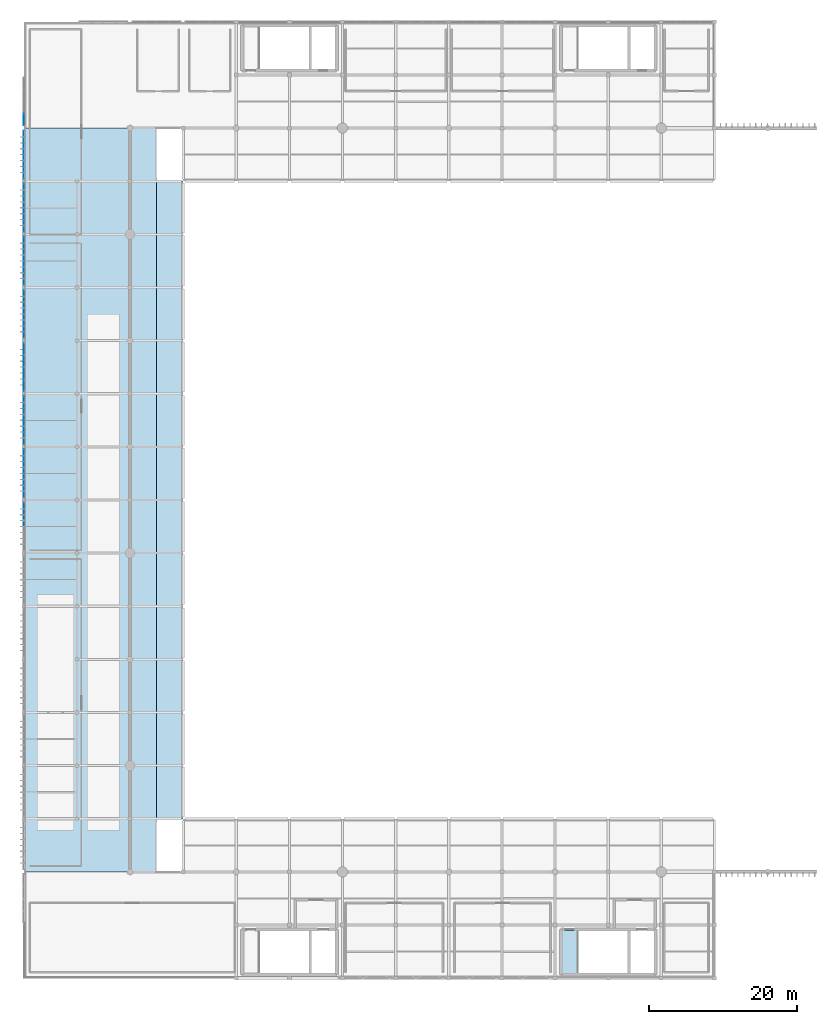
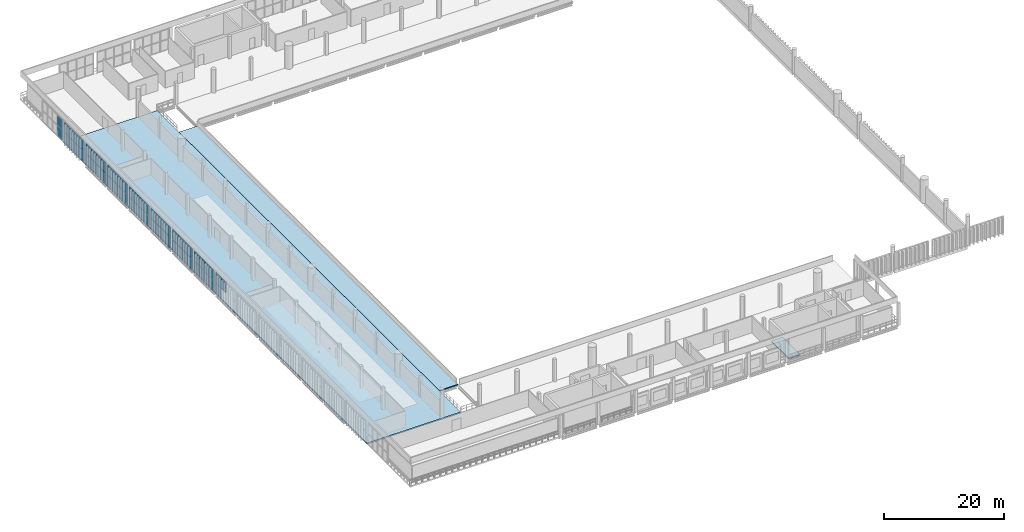
# One storey, part 40 of 64: 61 plates, 3 slabs, 9 elements without a shape of their own.
"""IFC4 building model written with IfcOpenShell, lengths in metres."""

from ifc_helpers import new_model, si_unit, direction, frame, origin, origin_2d, place, context, subcontext, project, spatial, polyline, rectangle, outline, extrude, material, layer, layer_set, type_object, element, aggregate, save


model = new_model("IFC4")

# Units and contexts
model_context = context("Model", 3, precision=1e-05, world=origin(), true_north=direction((0.0, 1.0)))
body_context = subcontext(model_context, "Body", "Model", "MODEL_VIEW")
ifc_project = project(units=[si_unit("LENGTHUNIT", "METRE"), si_unit("AREAUNIT", "SQUARE_METRE"), si_unit("VOLUMEUNIT", "CUBIC_METRE"), si_unit("PLANEANGLEUNIT", "RADIAN"), si_unit("MASSUNIT", "GRAM", prefix="KILO")], contexts=[model_context])

# Site, building, storey
site_placement = place(None, origin())
site = spatial("IfcSite", under=ifc_project, at=site_placement, CompositionType="ELEMENT")
building_placement = place(site_placement, origin())
building = spatial("IfcBuilding", under=site, at=building_placement, Name="Qandorah Velis Arena", CompositionType="ELEMENT")
storey_placement = place(building_placement, frame((0.0, 0.0, 23.0)))
storey = spatial("IfcBuildingStorey", under=building, at=storey_placement, Name="L05", CompositionType="ELEMENT", Elevation=23.0)

# Curtain wall, plates
ifc_material_1 = material(Name="Solar-control low-E double glazing", Category="glass")
curtain_wall_type_1 = type_object("IfcCurtainWallType", Name="ARC-CW-SYS01", PredefinedType="USERDEFINED", material=ifc_material_1)
curtain_wall_1_placement = place(storey_placement, origin())
curtain_wall_1 = element("IfcCurtainWall", 1, at=curtain_wall_1_placement, inside=storey, type_object=curtain_wall_type_1, Name="Unitised curtain wall L05-049", ObjectType="UNITISED CURTAIN WALL", PredefinedType="USERDEFINED")
ifc_layer_1 = layer(ifc_material_1, 0.02392578125)
ifc_layer_set_1 = layer_set([ifc_layer_1], Name="Solar-control low-E double glazing")
plate_type_1 = type_object("IfcPlateType", Name="ARC-CWP-GLZ24", PredefinedType="CURTAIN_PANEL", material=ifc_layer_set_1)
plate_1_placement = place(storey_placement, frame((0.0, 80.34375, 0.06494140625), z_axis=(0.0, 0.0, 1.0), x_axis=(0.0, 1.0, 0.0)))
plate_1 = element("IfcPlate", 2, at=plate_1_placement, type_object=plate_type_1, Name="CW01 panel 1.1", PredefinedType="CURTAIN_PANEL", context=body_context, shape_type="SweptSolid", body=[
    extrude(rectangle(XDim=1.5576171875, YDim=0.02392578125, at=origin_2d()), origin(), (0.0, 0.0, 1.0), 2.047607421875),
])
plate_2_placement = place(storey_placement, frame((0.0, 80.34375, 2.16748046875), z_axis=(0.0, 0.0, 1.0), x_axis=(0.0, 1.0, 0.0)))
plate_2 = element("IfcPlate", 3, at=plate_2_placement, type_object=plate_type_1, Name="CW01 panel 1.2", PredefinedType="CURTAIN_PANEL", context=body_context, shape_type="SweptSolid", body=[
    extrude(rectangle(XDim=1.5576171875, YDim=0.02392578125, at=origin_2d()), origin(), (0.0, 0.0, 1.0), 2.047607421875),
])
plate_3_placement = place(storey_placement, frame((0.0, 81.97509765625, 0.06494140625), z_axis=(0.0, 0.0, 1.0), x_axis=(0.0, 1.0, 0.0)))
plate_3 = element("IfcPlate", 4, at=plate_3_placement, type_object=plate_type_1, Name="CW01 panel 2.1", PredefinedType="CURTAIN_PANEL", context=body_context, shape_type="SweptSolid", body=[
    extrude(rectangle(XDim=1.594970703125, YDim=0.02392578125, at=origin_2d()), origin(), (0.0, 0.0, 1.0), 2.047607421875),
])
plate_4_placement = place(storey_placement, frame((0.0, 81.97509765625, 2.16748046875), z_axis=(0.0, 0.0, 1.0), x_axis=(0.0, 1.0, 0.0)))
plate_4 = element("IfcPlate", 5, at=plate_4_placement, type_object=plate_type_1, Name="CW01 panel 2.2", PredefinedType="CURTAIN_PANEL", context=body_context, shape_type="SweptSolid", body=[
    extrude(rectangle(XDim=1.594970703125, YDim=0.02392578125, at=origin_2d()), origin(), (0.0, 0.0, 1.0), 2.047607421875),
])
plate_5_placement = place(storey_placement, frame((0.0, 83.625, 0.06494140625), z_axis=(0.0, 0.0, 1.0), x_axis=(0.0, 1.0, 0.0)))
plate_5 = element("IfcPlate", 6, at=plate_5_placement, type_object=plate_type_1, Name="CW01 panel 3.1", PredefinedType="CURTAIN_PANEL", context=body_context, shape_type="SweptSolid", body=[
    extrude(rectangle(XDim=1.594970703125, YDim=0.02392578125, at=origin_2d()), origin(), (0.0, 0.0, 1.0), 2.047607421875),
])
plate_6_placement = place(storey_placement, frame((0.0, 83.625, 2.16748046875), z_axis=(0.0, 0.0, 1.0), x_axis=(0.0, 1.0, 0.0)))
plate_6 = element("IfcPlate", 7, at=plate_6_placement, type_object=plate_type_1, Name="CW01 panel 3.2", PredefinedType="CURTAIN_PANEL", context=body_context, shape_type="SweptSolid", body=[
    extrude(rectangle(XDim=1.594970703125, YDim=0.02392578125, at=origin_2d()), origin(), (0.0, 0.0, 1.0), 2.047607421875),
])
plate_7_placement = place(storey_placement, frame((0.0, 85.25634765625, 0.06494140625), z_axis=(0.0, 0.0, 1.0), x_axis=(0.0, 1.0, 0.0)))
plate_7 = element("IfcPlate", 8, at=plate_7_placement, type_object=plate_type_1, Name="CW01 panel 4.1", PredefinedType="CURTAIN_PANEL", context=body_context, shape_type="SweptSolid", body=[
    extrude(rectangle(XDim=1.5576171875, YDim=0.02392578125, at=origin_2d()), origin(), (0.0, 0.0, 1.0), 2.047607421875),
])
plate_8_placement = place(storey_placement, frame((0.0, 85.25634765625, 2.16748046875), z_axis=(0.0, 0.0, 1.0), x_axis=(0.0, 1.0, 0.0)))
plate_8 = element("IfcPlate", 9, at=plate_8_placement, type_object=plate_type_1, Name="CW01 panel 4.2", PredefinedType="CURTAIN_PANEL", context=body_context, shape_type="SweptSolid", body=[
    extrude(rectangle(XDim=1.5576171875, YDim=0.02392578125, at=origin_2d()), origin(), (0.0, 0.0, 1.0), 2.047607421875),
])
aggregate(curtain_wall_1, [plate_1, plate_2, plate_3, plate_4, plate_5, plate_6, plate_7, plate_8])

curtain_wall_type_2 = type_object("IfcCurtainWallType", Name="ARC-CW-SYS06", PredefinedType="USERDEFINED", material=ifc_material_1)
curtain_wall_2_placement = place(storey_placement, origin())
curtain_wall_2 = element("IfcCurtainWall", 10, at=curtain_wall_2_placement, inside=storey, type_object=curtain_wall_type_2, Name="Unitised curtain wall L05-054", ObjectType="UNITISED CURTAIN WALL", PredefinedType="USERDEFINED")
plate_9_placement = place(storey_placement, frame((0.0, 116.34130859375, 0.054931640625), z_axis=(0.0, 0.0, 1.0), x_axis=(0.0, 1.0, 0.0)))
plate_9 = element("IfcPlate", 11, at=plate_9_placement, type_object=plate_type_1, Name="CW06 panel 1.1", PredefinedType="CURTAIN_PANEL", context=body_context, shape_type="SweptSolid", body=[
    extrude(rectangle(XDim=1.572509765625, YDim=0.02392578125, at=origin_2d()), origin(), (0.0, 0.0, 1.0), 2.0625),
])
plate_10_placement = place(storey_placement, frame((0.0, 116.34130859375, 2.16259765625), z_axis=(0.0, 0.0, 1.0), x_axis=(0.0, 1.0, 0.0)))
plate_10 = element("IfcPlate", 12, at=plate_10_placement, type_object=plate_type_1, Name="CW06 panel 1.2", PredefinedType="CURTAIN_PANEL", context=body_context, shape_type="SweptSolid", body=[
    extrude(rectangle(XDim=1.572509765625, YDim=0.02392578125, at=origin_2d()), origin(), (0.0, 0.0, 1.0), 2.0625),
])
aggregate(curtain_wall_2, [plate_9, plate_10])

curtain_wall_type_3 = type_object("IfcCurtainWallType", Name="ARC-CW-SYS24", PredefinedType="USERDEFINED", material=ifc_material_1)
curtain_wall_3_placement = place(storey_placement, origin())
curtain_wall_3 = element("IfcCurtainWall", 13, at=curtain_wall_3_placement, inside=storey, type_object=curtain_wall_type_3, Name="Unitised curtain wall L05-048", ObjectType="UNITISED CURTAIN WALL", PredefinedType="USERDEFINED")
ifc_layer_2 = layer(ifc_material_1, 0.028076171875)
ifc_layer_set_2 = layer_set([ifc_layer_2], Name="Solar-control low-E double glazing")
plate_type_2 = type_object("IfcPlateType", Name="ARC-CWP-GLZ28", PredefinedType="CURTAIN_PANEL", material=ifc_layer_set_2)
plate_11_placement = place(storey_placement, frame((0.0, 73.138671875, 0.044921875), z_axis=(0.0, 0.0, 1.0), x_axis=(0.0, 1.0, 0.0)))
plate_11 = element("IfcPlate", 14, at=plate_11_placement, type_object=plate_type_2, Name="CW24 panel 1.1", PredefinedType="CURTAIN_PANEL", context=body_context, shape_type="SweptSolid", body=[
    extrude(rectangle(XDim=1.58740234375, YDim=0.028076171875, at=origin_2d()), origin(), (0.0, 0.0, 1.0), 2.077392578125),
])
plate_12_placement = place(storey_placement, frame((0.0, 73.138671875, 2.15771484375), z_axis=(0.0, 0.0, 1.0), x_axis=(0.0, 1.0, 0.0)))
plate_12 = element("IfcPlate", 15, at=plate_12_placement, type_object=plate_type_2, Name="CW24 panel 1.2", PredefinedType="CURTAIN_PANEL", context=body_context, shape_type="SweptSolid", body=[
    extrude(rectangle(XDim=1.58740234375, YDim=0.028076171875, at=origin_2d()), origin(), (0.0, 0.0, 1.0), 2.077392578125),
])
plate_13_placement = place(storey_placement, frame((0.0, 74.77490234375, 0.044921875), z_axis=(0.0, 0.0, 1.0), x_axis=(0.0, 1.0, 0.0)))
plate_13 = element("IfcPlate", 16, at=plate_13_placement, type_object=plate_type_2, Name="CW24 panel 2.1", PredefinedType="CURTAIN_PANEL", context=body_context, shape_type="SweptSolid", body=[
    extrude(rectangle(XDim=1.614990234375, YDim=0.028076171875, at=origin_2d()), origin(), (0.0, 0.0, 1.0), 2.077392578125),
])
plate_14_placement = place(storey_placement, frame((0.0, 74.77490234375, 2.15771484375), z_axis=(0.0, 0.0, 1.0), x_axis=(0.0, 1.0, 0.0)))
plate_14 = element("IfcPlate", 17, at=plate_14_placement, type_object=plate_type_2, Name="CW24 panel 2.2", PredefinedType="CURTAIN_PANEL", context=body_context, shape_type="SweptSolid", body=[
    extrude(rectangle(XDim=1.614990234375, YDim=0.028076171875, at=origin_2d()), origin(), (0.0, 0.0, 1.0), 2.077392578125),
])
plate_15_placement = place(storey_placement, frame((0.0, 76.425048828125, 0.044921875), z_axis=(0.0, 0.0, 1.0), x_axis=(0.0, 1.0, 0.0)))
plate_15 = element("IfcPlate", 18, at=plate_15_placement, type_object=plate_type_2, Name="CW24 panel 3.1", PredefinedType="CURTAIN_PANEL", context=body_context, shape_type="SweptSolid", body=[
    extrude(rectangle(XDim=1.614990234375, YDim=0.028076171875, at=origin_2d()), origin(), (0.0, 0.0, 1.0), 2.077392578125),
])
plate_16_placement = place(storey_placement, frame((0.0, 76.425048828125, 2.15771484375), z_axis=(0.0, 0.0, 1.0), x_axis=(0.0, 1.0, 0.0)))
plate_16 = element("IfcPlate", 19, at=plate_16_placement, type_object=plate_type_2, Name="CW24 panel 3.2", PredefinedType="CURTAIN_PANEL", context=body_context, shape_type="SweptSolid", body=[
    extrude(rectangle(XDim=1.614990234375, YDim=0.028076171875, at=origin_2d()), origin(), (0.0, 0.0, 1.0), 2.077392578125),
])
plate_17_placement = place(storey_placement, frame((0.0, 78.061279296875, 0.044921875), z_axis=(0.0, 0.0, 1.0), x_axis=(0.0, 1.0, 0.0)))
plate_17 = element("IfcPlate", 20, at=plate_17_placement, type_object=plate_type_2, Name="CW24 panel 4.1", PredefinedType="CURTAIN_PANEL", context=body_context, shape_type="SweptSolid", body=[
    extrude(rectangle(XDim=1.58740234375, YDim=0.028076171875, at=origin_2d()), origin(), (0.0, 0.0, 1.0), 2.077392578125),
])
plate_18_placement = place(storey_placement, frame((0.0, 78.061279296875, 2.15771484375), z_axis=(0.0, 0.0, 1.0), x_axis=(0.0, 1.0, 0.0)))
plate_18 = element("IfcPlate", 21, at=plate_18_placement, type_object=plate_type_2, Name="CW24 panel 4.2", PredefinedType="CURTAIN_PANEL", context=body_context, shape_type="SweptSolid", body=[
    extrude(rectangle(XDim=1.58740234375, YDim=0.028076171875, at=origin_2d()), origin(), (0.0, 0.0, 1.0), 2.077392578125),
])
aggregate(curtain_wall_3, [plate_11, plate_12, plate_13, plate_14, plate_15, plate_16, plate_17, plate_18])

curtain_wall_type_4 = type_object("IfcCurtainWallType", Name="ARC-CW-SYS05", PredefinedType="USERDEFINED", material=ifc_material_1)
curtain_wall_4_placement = place(storey_placement, origin())
curtain_wall_4 = element("IfcCurtainWall", 22, at=curtain_wall_4_placement, inside=storey, type_object=curtain_wall_type_4, Name="Unitised curtain wall L05-053", ObjectType="UNITISED CURTAIN WALL", PredefinedType="USERDEFINED")
plate_19_placement = place(storey_placement, frame((0.0, 109.143798828125, 0.06494140625), z_axis=(0.0, 0.0, 1.0), x_axis=(0.0, 1.0, 0.0)))
plate_19 = element("IfcPlate", 23, at=plate_19_placement, type_object=plate_type_2, Name="CW05 panel 1.1", PredefinedType="CURTAIN_PANEL", context=body_context, shape_type="SweptSolid", body=[
    extrude(rectangle(XDim=1.5576171875, YDim=0.028076171875, at=origin_2d()), origin(), (0.0, 0.0, 1.0), 2.047607421875),
])
plate_20_placement = place(storey_placement, frame((0.0, 109.143798828125, 2.16748046875), z_axis=(0.0, 0.0, 1.0), x_axis=(0.0, 1.0, 0.0)))
plate_20 = element("IfcPlate", 24, at=plate_20_placement, type_object=plate_type_2, Name="CW05 panel 1.2", PredefinedType="CURTAIN_PANEL", context=body_context, shape_type="SweptSolid", body=[
    extrude(rectangle(XDim=1.5576171875, YDim=0.028076171875, at=origin_2d()), origin(), (0.0, 0.0, 1.0), 2.047607421875),
])
plate_21_placement = place(storey_placement, frame((0.0, 110.77490234375, 0.06494140625), z_axis=(0.0, 0.0, 1.0), x_axis=(0.0, 1.0, 0.0)))
plate_21 = element("IfcPlate", 25, at=plate_21_placement, type_object=plate_type_2, Name="CW05 panel 2.1", PredefinedType="CURTAIN_PANEL", context=body_context, shape_type="SweptSolid", body=[
    extrude(rectangle(XDim=1.594970703125, YDim=0.028076171875, at=origin_2d()), origin(), (0.0, 0.0, 1.0), 2.047607421875),
])
plate_22_placement = place(storey_placement, frame((0.0, 110.77490234375, 2.16748046875), z_axis=(0.0, 0.0, 1.0), x_axis=(0.0, 1.0, 0.0)))
plate_22 = element("IfcPlate", 26, at=plate_22_placement, type_object=plate_type_2, Name="CW05 panel 2.2", PredefinedType="CURTAIN_PANEL", context=body_context, shape_type="SweptSolid", body=[
    extrude(rectangle(XDim=1.594970703125, YDim=0.028076171875, at=origin_2d()), origin(), (0.0, 0.0, 1.0), 2.047607421875),
])
plate_23_placement = place(storey_placement, frame((0.0, 112.425048828125, 0.06494140625), z_axis=(0.0, 0.0, 1.0), x_axis=(0.0, 1.0, 0.0)))
plate_23 = element("IfcPlate", 27, at=plate_23_placement, type_object=plate_type_2, Name="CW05 panel 3.1", PredefinedType="CURTAIN_PANEL", context=body_context, shape_type="SweptSolid", body=[
    extrude(rectangle(XDim=1.594970703125, YDim=0.028076171875, at=origin_2d()), origin(), (0.0, 0.0, 1.0), 2.047607421875),
])
plate_24_placement = place(storey_placement, frame((0.0, 112.425048828125, 2.16748046875), z_axis=(0.0, 0.0, 1.0), x_axis=(0.0, 1.0, 0.0)))
plate_24 = element("IfcPlate", 28, at=plate_24_placement, type_object=plate_type_2, Name="CW05 panel 3.2", PredefinedType="CURTAIN_PANEL", context=body_context, shape_type="SweptSolid", body=[
    extrude(rectangle(XDim=1.594970703125, YDim=0.028076171875, at=origin_2d()), origin(), (0.0, 0.0, 1.0), 2.047607421875),
])
plate_25_placement = place(storey_placement, frame((0.0, 114.05615234375, 0.06494140625), z_axis=(0.0, 0.0, 1.0), x_axis=(0.0, 1.0, 0.0)))
plate_25 = element("IfcPlate", 29, at=plate_25_placement, type_object=plate_type_2, Name="CW05 panel 4.1", PredefinedType="CURTAIN_PANEL", context=body_context, shape_type="SweptSolid", body=[
    extrude(rectangle(XDim=1.5576171875, YDim=0.028076171875, at=origin_2d()), origin(), (0.0, 0.0, 1.0), 2.047607421875),
])
plate_26_placement = place(storey_placement, frame((0.0, 114.05615234375, 2.16748046875), z_axis=(0.0, 0.0, 1.0), x_axis=(0.0, 1.0, 0.0)))
plate_26 = element("IfcPlate", 30, at=plate_26_placement, type_object=plate_type_2, Name="CW05 panel 4.2", PredefinedType="CURTAIN_PANEL", context=body_context, shape_type="SweptSolid", body=[
    extrude(rectangle(XDim=1.5576171875, YDim=0.028076171875, at=origin_2d()), origin(), (0.0, 0.0, 1.0), 2.047607421875),
])
aggregate(curtain_wall_4, [plate_19, plate_20, plate_21, plate_22, plate_23, plate_24, plate_25, plate_26])

curtain_wall_type_5 = type_object("IfcCurtainWallType", Name="ARC-CW-SYS23", PredefinedType="USERDEFINED", material=ifc_material_1)
curtain_wall_5_placement = place(storey_placement, origin())
curtain_wall_5 = element("IfcCurtainWall", 31, at=curtain_wall_5_placement, inside=storey, type_object=curtain_wall_type_5, Name="Unitised curtain wall L05-047", ObjectType="UNITISED CURTAIN WALL", PredefinedType="USERDEFINED")
ifc_layer_3 = layer(ifc_material_1, 0.030029296875)
ifc_layer_set_3 = layer_set([ifc_layer_3], Name="Solar-control low-E double glazing")
plate_type_3 = type_object("IfcPlateType", Name="ARC-CWP-GLZ30", PredefinedType="CURTAIN_PANEL", material=ifc_layer_set_3)
plate_27_placement = place(storey_placement, frame((0.0, 65.93994140625, 0.0498046875), z_axis=(0.0, 0.0, 1.0), x_axis=(0.0, 1.0, 0.0)))
plate_27 = element("IfcPlate", 32, at=plate_27_placement, type_object=plate_type_3, Name="CW23 panel 1.1", PredefinedType="CURTAIN_PANEL", context=body_context, shape_type="SweptSolid", body=[
    extrude(rectangle(XDim=1.580078125, YDim=0.030029296875, at=origin_2d()), origin(), (0.0, 0.0, 1.0), 2.070068359375),
])
plate_28_placement = place(storey_placement, frame((0.0, 65.93994140625, 2.16015625), z_axis=(0.0, 0.0, 1.0), x_axis=(0.0, 1.0, 0.0)))
plate_28 = element("IfcPlate", 33, at=plate_28_placement, type_object=plate_type_3, Name="CW23 panel 1.2", PredefinedType="CURTAIN_PANEL", context=body_context, shape_type="SweptSolid", body=[
    extrude(rectangle(XDim=1.580078125, YDim=0.030029296875, at=origin_2d()), origin(), (0.0, 0.0, 1.0), 2.070068359375),
])
plate_29_placement = place(storey_placement, frame((0.0, 67.574951171875, 0.0498046875), z_axis=(0.0, 0.0, 1.0), x_axis=(0.0, 1.0, 0.0)))
plate_29 = element("IfcPlate", 34, at=plate_29_placement, type_object=plate_type_3, Name="CW23 panel 2.1", PredefinedType="CURTAIN_PANEL", context=body_context, shape_type="SweptSolid", body=[
    extrude(rectangle(XDim=1.610107421875, YDim=0.030029296875, at=origin_2d()), origin(), (0.0, 0.0, 1.0), 2.070068359375),
])
plate_30_placement = place(storey_placement, frame((0.0, 67.574951171875, 2.16015625), z_axis=(0.0, 0.0, 1.0), x_axis=(0.0, 1.0, 0.0)))
plate_30 = element("IfcPlate", 35, at=plate_30_placement, type_object=plate_type_3, Name="CW23 panel 2.2", PredefinedType="CURTAIN_PANEL", context=body_context, shape_type="SweptSolid", body=[
    extrude(rectangle(XDim=1.610107421875, YDim=0.030029296875, at=origin_2d()), origin(), (0.0, 0.0, 1.0), 2.070068359375),
])
plate_31_placement = place(storey_placement, frame((0.0, 69.22509765625, 0.0498046875), z_axis=(0.0, 0.0, 1.0), x_axis=(0.0, 1.0, 0.0)))
plate_31 = element("IfcPlate", 36, at=plate_31_placement, type_object=plate_type_3, Name="CW23 panel 3.1", PredefinedType="CURTAIN_PANEL", context=body_context, shape_type="SweptSolid", body=[
    extrude(rectangle(XDim=1.610107421875, YDim=0.030029296875, at=origin_2d()), origin(), (0.0, 0.0, 1.0), 2.070068359375),
])
plate_32_placement = place(storey_placement, frame((0.0, 69.22509765625, 2.16015625), z_axis=(0.0, 0.0, 1.0), x_axis=(0.0, 1.0, 0.0)))
plate_32 = element("IfcPlate", 37, at=plate_32_placement, type_object=plate_type_3, Name="CW23 panel 3.2", PredefinedType="CURTAIN_PANEL", context=body_context, shape_type="SweptSolid", body=[
    extrude(rectangle(XDim=1.610107421875, YDim=0.030029296875, at=origin_2d()), origin(), (0.0, 0.0, 1.0), 2.070068359375),
])
plate_33_placement = place(storey_placement, frame((0.0, 70.860107421875, 0.0498046875), z_axis=(0.0, 0.0, 1.0), x_axis=(0.0, 1.0, 0.0)))
plate_33 = element("IfcPlate", 38, at=plate_33_placement, type_object=plate_type_3, Name="CW23 panel 4.1", PredefinedType="CURTAIN_PANEL", context=body_context, shape_type="SweptSolid", body=[
    extrude(rectangle(XDim=1.580078125, YDim=0.030029296875, at=origin_2d()), origin(), (0.0, 0.0, 1.0), 2.070068359375),
])
plate_34_placement = place(storey_placement, frame((0.0, 70.860107421875, 2.16015625), z_axis=(0.0, 0.0, 1.0), x_axis=(0.0, 1.0, 0.0)))
plate_34 = element("IfcPlate", 39, at=plate_34_placement, type_object=plate_type_3, Name="CW23 panel 4.2", PredefinedType="CURTAIN_PANEL", context=body_context, shape_type="SweptSolid", body=[
    extrude(rectangle(XDim=1.580078125, YDim=0.030029296875, at=origin_2d()), origin(), (0.0, 0.0, 1.0), 2.070068359375),
])
aggregate(curtain_wall_5, [plate_27, plate_28, plate_29, plate_30, plate_31, plate_32, plate_33, plate_34])

curtain_wall_type_6 = type_object("IfcCurtainWallType", Name="ARC-CW-SYS04", PredefinedType="USERDEFINED", material=ifc_material_1)
curtain_wall_6_placement = place(storey_placement, origin())
curtain_wall_6 = element("IfcCurtainWall", 40, at=curtain_wall_6_placement, inside=storey, type_object=curtain_wall_type_6, Name="Unitised curtain wall L05-052", ObjectType="UNITISED CURTAIN WALL", PredefinedType="USERDEFINED")
plate_35_placement = place(storey_placement, frame((0.0, 101.938720703125, 0.044921875), z_axis=(0.0, 0.0, 1.0), x_axis=(0.0, 1.0, 0.0)))
plate_35 = element("IfcPlate", 41, at=plate_35_placement, type_object=plate_type_3, Name="CW04 panel 1.1", PredefinedType="CURTAIN_PANEL", context=body_context, shape_type="SweptSolid", body=[
    extrude(rectangle(XDim=1.58740234375, YDim=0.030029296875, at=origin_2d()), origin(), (0.0, 0.0, 1.0), 2.077392578125),
])
plate_36_placement = place(storey_placement, frame((0.0, 101.938720703125, 2.15771484375), z_axis=(0.0, 0.0, 1.0), x_axis=(0.0, 1.0, 0.0)))
plate_36 = element("IfcPlate", 42, at=plate_36_placement, type_object=plate_type_3, Name="CW04 panel 1.2", PredefinedType="CURTAIN_PANEL", context=body_context, shape_type="SweptSolid", body=[
    extrude(rectangle(XDim=1.58740234375, YDim=0.030029296875, at=origin_2d()), origin(), (0.0, 0.0, 1.0), 2.077392578125),
])
plate_37_placement = place(storey_placement, frame((0.0, 103.574951171875, 0.044921875), z_axis=(0.0, 0.0, 1.0), x_axis=(0.0, 1.0, 0.0)))
plate_37 = element("IfcPlate", 43, at=plate_37_placement, type_object=plate_type_3, Name="CW04 panel 2.1", PredefinedType="CURTAIN_PANEL", context=body_context, shape_type="SweptSolid", body=[
    extrude(rectangle(XDim=1.614990234375, YDim=0.030029296875, at=origin_2d()), origin(), (0.0, 0.0, 1.0), 2.077392578125),
])
plate_38_placement = place(storey_placement, frame((0.0, 103.574951171875, 2.15771484375), z_axis=(0.0, 0.0, 1.0), x_axis=(0.0, 1.0, 0.0)))
plate_38 = element("IfcPlate", 44, at=plate_38_placement, type_object=plate_type_3, Name="CW04 panel 2.2", PredefinedType="CURTAIN_PANEL", context=body_context, shape_type="SweptSolid", body=[
    extrude(rectangle(XDim=1.614990234375, YDim=0.030029296875, at=origin_2d()), origin(), (0.0, 0.0, 1.0), 2.077392578125),
])
plate_39_placement = place(storey_placement, frame((0.0, 105.22509765625, 0.044921875), z_axis=(0.0, 0.0, 1.0), x_axis=(0.0, 1.0, 0.0)))
plate_39 = element("IfcPlate", 45, at=plate_39_placement, type_object=plate_type_3, Name="CW04 panel 3.1", PredefinedType="CURTAIN_PANEL", context=body_context, shape_type="SweptSolid", body=[
    extrude(rectangle(XDim=1.614990234375, YDim=0.030029296875, at=origin_2d()), origin(), (0.0, 0.0, 1.0), 2.077392578125),
])
plate_40_placement = place(storey_placement, frame((0.0, 105.22509765625, 2.15771484375), z_axis=(0.0, 0.0, 1.0), x_axis=(0.0, 1.0, 0.0)))
plate_40 = element("IfcPlate", 46, at=plate_40_placement, type_object=plate_type_3, Name="CW04 panel 3.2", PredefinedType="CURTAIN_PANEL", context=body_context, shape_type="SweptSolid", body=[
    extrude(rectangle(XDim=1.614990234375, YDim=0.030029296875, at=origin_2d()), origin(), (0.0, 0.0, 1.0), 2.077392578125),
])
plate_41_placement = place(storey_placement, frame((0.0, 106.861328125, 0.044921875), z_axis=(0.0, 0.0, 1.0), x_axis=(0.0, 1.0, 0.0)))
plate_41 = element("IfcPlate", 47, at=plate_41_placement, type_object=plate_type_3, Name="CW04 panel 4.1", PredefinedType="CURTAIN_PANEL", context=body_context, shape_type="SweptSolid", body=[
    extrude(rectangle(XDim=1.58740234375, YDim=0.030029296875, at=origin_2d()), origin(), (0.0, 0.0, 1.0), 2.077392578125),
])
plate_42_placement = place(storey_placement, frame((0.0, 106.861328125, 2.15771484375), z_axis=(0.0, 0.0, 1.0), x_axis=(0.0, 1.0, 0.0)))
plate_42 = element("IfcPlate", 48, at=plate_42_placement, type_object=plate_type_3, Name="CW04 panel 4.2", PredefinedType="CURTAIN_PANEL", context=body_context, shape_type="SweptSolid", body=[
    extrude(rectangle(XDim=1.58740234375, YDim=0.030029296875, at=origin_2d()), origin(), (0.0, 0.0, 1.0), 2.077392578125),
])
aggregate(curtain_wall_6, [plate_35, plate_36, plate_37, plate_38, plate_39, plate_40, plate_41, plate_42])

curtain_wall_type_7 = type_object("IfcCurtainWallType", Name="ARC-CW-SYS22", PredefinedType="USERDEFINED", material=ifc_material_1)
curtain_wall_7_placement = place(storey_placement, origin())
curtain_wall_7 = element("IfcCurtainWall", 49, at=curtain_wall_7_placement, inside=storey, type_object=curtain_wall_type_7, Name="Unitised curtain wall L05-046", ObjectType="UNITISED CURTAIN WALL", PredefinedType="USERDEFINED")
ifc_layer_4 = layer(ifc_material_1, 0.035888671875)
ifc_layer_set_4 = layer_set([ifc_layer_4], Name="Solar-control low-E double glazing")
plate_type_4 = type_object("IfcPlateType", Name="ARC-CWP-GLZ36", PredefinedType="CURTAIN_PANEL", material=ifc_layer_set_4)
plate_43_placement = place(storey_placement, frame((0.0, 62.02490234375, 2.16259765625), z_axis=(0.0, 0.0, 1.0), x_axis=(0.0, 1.0, 0.0)))
plate_43 = element("IfcPlate", 50, at=plate_43_placement, type_object=plate_type_4, Name="CW22 panel 3.2", PredefinedType="CURTAIN_PANEL", context=body_context, shape_type="SweptSolid", body=[
    extrude(rectangle(XDim=1.60498046875, YDim=0.035888671875, at=origin_2d()), origin(), (0.0, 0.0, 1.0), 2.0625),
])
plate_44_placement = place(storey_placement, frame((0.0, 63.65869140625, 0.054931640625), z_axis=(0.0, 0.0, 1.0), x_axis=(0.0, 1.0, 0.0)))
plate_44 = element("IfcPlate", 51, at=plate_44_placement, type_object=plate_type_4, Name="CW22 panel 4.1", PredefinedType="CURTAIN_PANEL", context=body_context, shape_type="SweptSolid", body=[
    extrude(rectangle(XDim=1.572509765625, YDim=0.035888671875, at=origin_2d()), origin(), (0.0, 0.0, 1.0), 2.0625),
])
plate_45_placement = place(storey_placement, frame((0.0, 63.65869140625, 2.16259765625), z_axis=(0.0, 0.0, 1.0), x_axis=(0.0, 1.0, 0.0)))
plate_45 = element("IfcPlate", 52, at=plate_45_placement, type_object=plate_type_4, Name="CW22 panel 4.2", PredefinedType="CURTAIN_PANEL", context=body_context, shape_type="SweptSolid", body=[
    extrude(rectangle(XDim=1.572509765625, YDim=0.035888671875, at=origin_2d()), origin(), (0.0, 0.0, 1.0), 2.0625),
])
aggregate(curtain_wall_7, [plate_43, plate_44, plate_45])

curtain_wall_type_8 = type_object("IfcCurtainWallType", Name="ARC-CW-SYS03", PredefinedType="USERDEFINED", material=ifc_material_1)
curtain_wall_8_placement = place(storey_placement, origin())
curtain_wall_8 = element("IfcCurtainWall", 53, at=curtain_wall_8_placement, inside=storey, type_object=curtain_wall_type_8, Name="Unitised curtain wall L05-051", ObjectType="UNITISED CURTAIN WALL", PredefinedType="USERDEFINED")
plate_46_placement = place(storey_placement, frame((0.0, 94.739990234375, 0.0498046875), z_axis=(0.0, 0.0, 1.0), x_axis=(0.0, 1.0, 0.0)))
plate_46 = element("IfcPlate", 54, at=plate_46_placement, type_object=plate_type_4, Name="CW03 panel 1.1", PredefinedType="CURTAIN_PANEL", context=body_context, shape_type="SweptSolid", body=[
    extrude(rectangle(XDim=1.580078125, YDim=0.035888671875, at=origin_2d()), origin(), (0.0, 0.0, 1.0), 2.070068359375),
])
plate_47_placement = place(storey_placement, frame((0.0, 94.739990234375, 2.16015625), z_axis=(0.0, 0.0, 1.0), x_axis=(0.0, 1.0, 0.0)))
plate_47 = element("IfcPlate", 55, at=plate_47_placement, type_object=plate_type_4, Name="CW03 panel 1.2", PredefinedType="CURTAIN_PANEL", context=body_context, shape_type="SweptSolid", body=[
    extrude(rectangle(XDim=1.580078125, YDim=0.035888671875, at=origin_2d()), origin(), (0.0, 0.0, 1.0), 2.070068359375),
])
plate_48_placement = place(storey_placement, frame((0.0, 96.375, 0.0498046875), z_axis=(0.0, 0.0, 1.0), x_axis=(0.0, 1.0, 0.0)))
plate_48 = element("IfcPlate", 56, at=plate_48_placement, type_object=plate_type_4, Name="CW03 panel 2.1", PredefinedType="CURTAIN_PANEL", context=body_context, shape_type="SweptSolid", body=[
    extrude(rectangle(XDim=1.610107421875, YDim=0.035888671875, at=origin_2d()), origin(), (0.0, 0.0, 1.0), 2.070068359375),
])
plate_49_placement = place(storey_placement, frame((0.0, 96.375, 2.16015625), z_axis=(0.0, 0.0, 1.0), x_axis=(0.0, 1.0, 0.0)))
plate_49 = element("IfcPlate", 57, at=plate_49_placement, type_object=plate_type_4, Name="CW03 panel 2.2", PredefinedType="CURTAIN_PANEL", context=body_context, shape_type="SweptSolid", body=[
    extrude(rectangle(XDim=1.610107421875, YDim=0.035888671875, at=origin_2d()), origin(), (0.0, 0.0, 1.0), 2.070068359375),
])
plate_50_placement = place(storey_placement, frame((0.0, 98.02490234375, 0.0498046875), z_axis=(0.0, 0.0, 1.0), x_axis=(0.0, 1.0, 0.0)))
plate_50 = element("IfcPlate", 58, at=plate_50_placement, type_object=plate_type_4, Name="CW03 panel 3.1", PredefinedType="CURTAIN_PANEL", context=body_context, shape_type="SweptSolid", body=[
    extrude(rectangle(XDim=1.610107421875, YDim=0.035888671875, at=origin_2d()), origin(), (0.0, 0.0, 1.0), 2.070068359375),
])
plate_51_placement = place(storey_placement, frame((0.0, 98.02490234375, 2.16015625), z_axis=(0.0, 0.0, 1.0), x_axis=(0.0, 1.0, 0.0)))
plate_51 = element("IfcPlate", 59, at=plate_51_placement, type_object=plate_type_4, Name="CW03 panel 3.2", PredefinedType="CURTAIN_PANEL", context=body_context, shape_type="SweptSolid", body=[
    extrude(rectangle(XDim=1.610107421875, YDim=0.035888671875, at=origin_2d()), origin(), (0.0, 0.0, 1.0), 2.070068359375),
])
plate_52_placement = place(storey_placement, frame((0.0, 99.659912109375, 0.0498046875), z_axis=(0.0, 0.0, 1.0), x_axis=(0.0, 1.0, 0.0)))
plate_52 = element("IfcPlate", 60, at=plate_52_placement, type_object=plate_type_4, Name="CW03 panel 4.1", PredefinedType="CURTAIN_PANEL", context=body_context, shape_type="SweptSolid", body=[
    extrude(rectangle(XDim=1.580078125, YDim=0.035888671875, at=origin_2d()), origin(), (0.0, 0.0, 1.0), 2.070068359375),
])
plate_53_placement = place(storey_placement, frame((0.0, 99.659912109375, 2.16015625), z_axis=(0.0, 0.0, 1.0), x_axis=(0.0, 1.0, 0.0)))
plate_53 = element("IfcPlate", 61, at=plate_53_placement, type_object=plate_type_4, Name="CW03 panel 4.2", PredefinedType="CURTAIN_PANEL", context=body_context, shape_type="SweptSolid", body=[
    extrude(rectangle(XDim=1.580078125, YDim=0.035888671875, at=origin_2d()), origin(), (0.0, 0.0, 1.0), 2.070068359375),
])
aggregate(curtain_wall_8, [plate_46, plate_47, plate_48, plate_49, plate_50, plate_51, plate_52, plate_53])

curtain_wall_type_9 = type_object("IfcCurtainWallType", Name="ARC-CW-SYS02", PredefinedType="USERDEFINED", material=ifc_material_1)
curtain_wall_9_placement = place(storey_placement, origin())
curtain_wall_9 = element("IfcCurtainWall", 62, at=curtain_wall_9_placement, inside=storey, type_object=curtain_wall_type_9, Name="Unitised curtain wall L05-050", ObjectType="UNITISED CURTAIN WALL", PredefinedType="USERDEFINED")
ifc_layer_5 = layer(ifc_material_1, 0.0439453125)
ifc_layer_set_5 = layer_set([ifc_layer_5], Name="Solar-control low-E double glazing")
plate_type_5 = type_object("IfcPlateType", Name="ARC-CWP-SPN44", PredefinedType="CURTAIN_PANEL", material=ifc_layer_set_5)
plate_54_placement = place(storey_placement, frame((0.0, 87.541259765625, 0.054931640625), z_axis=(0.0, 0.0, 1.0), x_axis=(0.0, 1.0, 0.0)))
plate_54 = element("IfcPlate", 63, at=plate_54_placement, type_object=plate_type_5, Name="CW02 panel 1.1", PredefinedType="CURTAIN_PANEL", context=body_context, shape_type="SweptSolid", body=[
    extrude(rectangle(XDim=1.572509765625, YDim=0.0439453125, at=origin_2d()), origin(), (0.0, 0.0, 1.0), 2.0625),
])
plate_55_placement = place(storey_placement, frame((0.0, 87.541259765625, 2.16259765625), z_axis=(0.0, 0.0, 1.0), x_axis=(0.0, 1.0, 0.0)))
plate_55 = element("IfcPlate", 64, at=plate_55_placement, type_object=plate_type_5, Name="CW02 panel 1.2", PredefinedType="CURTAIN_PANEL", context=body_context, shape_type="SweptSolid", body=[
    extrude(rectangle(XDim=1.572509765625, YDim=0.0439453125, at=origin_2d()), origin(), (0.0, 0.0, 1.0), 2.0625),
])
plate_56_placement = place(storey_placement, frame((0.0, 89.175048828125, 0.054931640625), z_axis=(0.0, 0.0, 1.0), x_axis=(0.0, 1.0, 0.0)))
plate_56 = element("IfcPlate", 65, at=plate_56_placement, type_object=plate_type_5, Name="CW02 panel 2.1", PredefinedType="CURTAIN_PANEL", context=body_context, shape_type="SweptSolid", body=[
    extrude(rectangle(XDim=1.60498046875, YDim=0.0439453125, at=origin_2d()), origin(), (0.0, 0.0, 1.0), 2.0625),
])
plate_57_placement = place(storey_placement, frame((0.0, 89.175048828125, 2.16259765625), z_axis=(0.0, 0.0, 1.0), x_axis=(0.0, 1.0, 0.0)))
plate_57 = element("IfcPlate", 66, at=plate_57_placement, type_object=plate_type_5, Name="CW02 panel 2.2", PredefinedType="CURTAIN_PANEL", context=body_context, shape_type="SweptSolid", body=[
    extrude(rectangle(XDim=1.60498046875, YDim=0.0439453125, at=origin_2d()), origin(), (0.0, 0.0, 1.0), 2.0625),
])
plate_58_placement = place(storey_placement, frame((0.0, 90.824951171875, 0.054931640625), z_axis=(0.0, 0.0, 1.0), x_axis=(0.0, 1.0, 0.0)))
plate_58 = element("IfcPlate", 67, at=plate_58_placement, type_object=plate_type_5, Name="CW02 panel 3.1", PredefinedType="CURTAIN_PANEL", context=body_context, shape_type="SweptSolid", body=[
    extrude(rectangle(XDim=1.60498046875, YDim=0.0439453125, at=origin_2d()), origin(), (0.0, 0.0, 1.0), 2.0625),
])
plate_59_placement = place(storey_placement, frame((0.0, 90.824951171875, 2.16259765625), z_axis=(0.0, 0.0, 1.0), x_axis=(0.0, 1.0, 0.0)))
plate_59 = element("IfcPlate", 68, at=plate_59_placement, type_object=plate_type_5, Name="CW02 panel 3.2", PredefinedType="CURTAIN_PANEL", context=body_context, shape_type="SweptSolid", body=[
    extrude(rectangle(XDim=1.60498046875, YDim=0.0439453125, at=origin_2d()), origin(), (0.0, 0.0, 1.0), 2.0625),
])
plate_60_placement = place(storey_placement, frame((0.0, 92.458740234375, 0.054931640625), z_axis=(0.0, 0.0, 1.0), x_axis=(0.0, 1.0, 0.0)))
plate_60 = element("IfcPlate", 69, at=plate_60_placement, type_object=plate_type_5, Name="CW02 panel 4.1", PredefinedType="CURTAIN_PANEL", context=body_context, shape_type="SweptSolid", body=[
    extrude(rectangle(XDim=1.572509765625, YDim=0.0439453125, at=origin_2d()), origin(), (0.0, 0.0, 1.0), 2.0625),
])
plate_61_placement = place(storey_placement, frame((0.0, 92.458740234375, 2.16259765625), z_axis=(0.0, 0.0, 1.0), x_axis=(0.0, 1.0, 0.0)))
plate_61 = element("IfcPlate", 70, at=plate_61_placement, type_object=plate_type_5, Name="CW02 panel 4.2", PredefinedType="CURTAIN_PANEL", context=body_context, shape_type="SweptSolid", body=[
    extrude(rectangle(XDim=1.572509765625, YDim=0.0439453125, at=origin_2d()), origin(), (0.0, 0.0, 1.0), 2.0625),
])
aggregate(curtain_wall_9, [plate_54, plate_55, plate_56, plate_57, plate_58, plate_59, plate_60, plate_61])

# Slabs
ifc_material_2 = material(Name="Concrete C40/50", Category="concrete")
ifc_layer_6 = layer(ifc_material_2, 0.25)
ifc_layer_set_6 = layer_set([ifc_layer_6], Name="Concrete C40/50")
slab_type_1 = type_object("IfcSlabType", Name="STR-SLB-FL250", PredefinedType="FLOOR", material=ifc_layer_set_6)
slab_1_placement = place(storey_placement, frame((0.0, 0.0, -0.25)))
element("IfcSlab", 71, at=slab_1_placement, inside=storey, type_object=slab_type_1, Name="Structural floor slab L05_WEST_SKY", PredefinedType="FLOOR", context=body_context, shape_type="SweptSolid", body=[
    extrude(outline(polyline([(18.0, 14.39990234375), (18.0, 115.199951171875), (0.0, 115.199951171875), (0.0, 14.39990234375), (18.0, 14.39990234375)])), origin(), (0.0, 0.0, 1.0), 0.25),
])
ifc_layer_7 = layer(ifc_material_2, 0.219970703125)
ifc_layer_set_7 = layer_set([ifc_layer_7], Name="Concrete C40/50")
slab_type_2 = type_object("IfcSlabType", Name="STR-SLB-LND220", PredefinedType="LANDING", material=ifc_layer_set_7)
slab_2_placement = place(storey_placement, frame((0.0, 0.0, -0.219970703125)))
element("IfcSlab", 72, at=slab_2_placement, inside=storey, type_object=slab_type_2, Name="Stair ST2 storey landing slab L05", PredefinedType="LANDING", context=body_context, shape_type="SweptSolid", body=[
    extrude(outline(polyline([(72.949951171875, 0.64990234375), (75.14990234375, 0.64990234375), (75.14990234375, 6.449951171875), (72.949951171875, 6.449951171875), (72.949951171875, 0.64990234375)])), origin(), (0.0, 0.0, 1.0), 0.219970703125),
])
ifc_layer_8 = layer(ifc_material_2, 0.219970703125)
ifc_layer_set_8 = layer_set([ifc_layer_8], Name="Concrete C40/50")
slab_type_3 = type_object("IfcSlabType", Name="STR-SLB-RF220", PredefinedType="ROOF", material=ifc_layer_set_8)
slab_3_placement = place(storey_placement, frame((0.0, 0.0, -0.219970703125)))
element("IfcSlab", 73, at=slab_3_placement, inside=storey, type_object=slab_type_3, Name="Roof slab SLB-ROOF-MEDIA-W", PredefinedType="ROOF", context=body_context, shape_type="SweptSolid", body=[
    extrude(outline(polyline([(18.0, 21.60009765625), (21.60009765625, 21.60009765625), (21.60009765625, 108.0), (18.0, 108.0), (18.0, 21.60009765625)])), origin(), (0.0, 0.0, 1.0), 0.219970703125),
])

save(model, "model.ifc")
